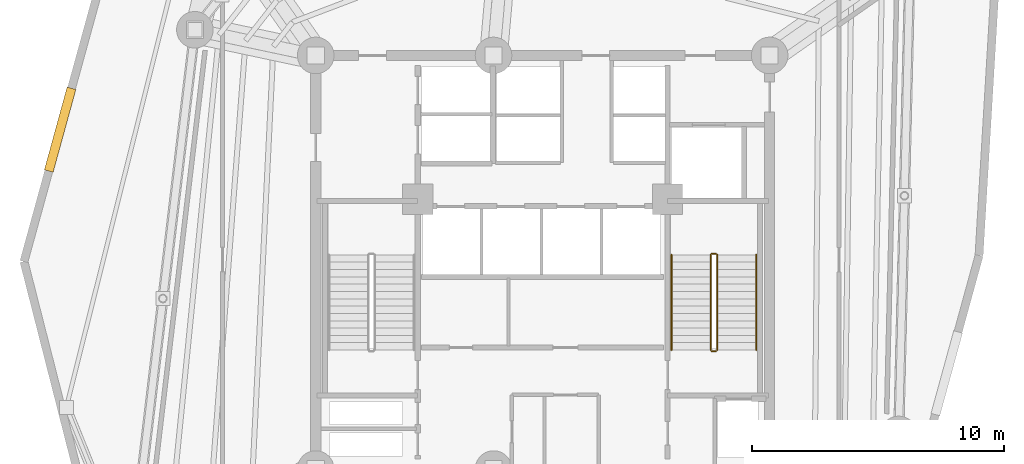
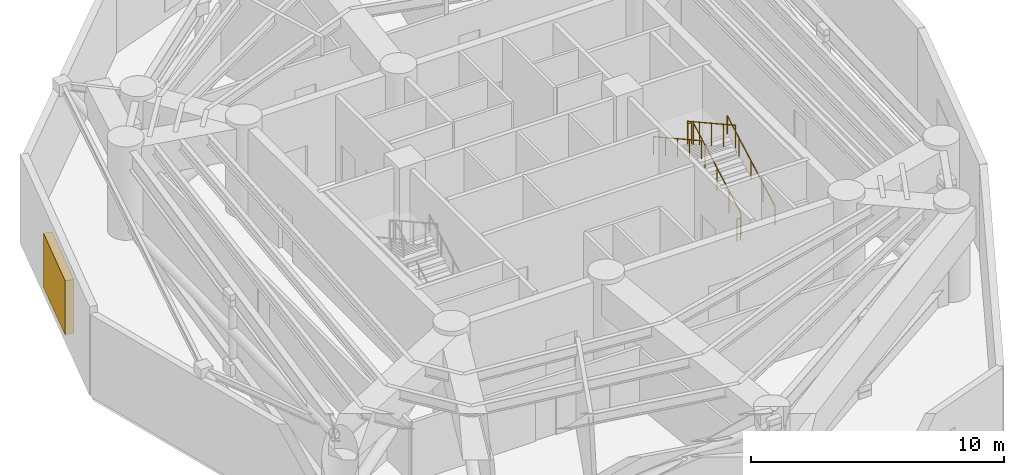
# One storey, part 10 of 11: 6 railings, 1 shading device.
"""IFC4 building model written with IfcOpenShell, lengths in metres."""

from ifc_helpers import new_model, si_unit, direction, frame, origin, origin_with_axes, origin_2d, place, context, subcontext, project, spatial, rectangle, circle, extrude, source, transform, mapped, material, layer, layer_set, type_object, element, save


model = new_model("IFC4")

# Units and contexts
model_context = context("Model", 3, precision=1e-05, world=origin(), true_north=direction((0.0, 1.0)))
body_context = subcontext(model_context, "Body", "Model", "MODEL_VIEW")
ifc_project = project(units=[si_unit("LENGTHUNIT", "METRE"), si_unit("AREAUNIT", "SQUARE_METRE"), si_unit("VOLUMEUNIT", "CUBIC_METRE"), si_unit("PLANEANGLEUNIT", "RADIAN"), si_unit("MASSUNIT", "GRAM", prefix="KILO")], contexts=[model_context])

# Site, building, storey
site_placement = place(None, origin())
site = spatial("IfcSite", under=ifc_project, at=site_placement, CompositionType="ELEMENT")
building_placement = place(site_placement, origin())
building = spatial("IfcBuilding", under=site, at=building_placement, Name="Karkom Vertical University and Central Library", CompositionType="ELEMENT")
storey_placement = place(building_placement, frame((0.0, 0.0, 148.050048828125)))
storey = spatial("IfcBuildingStorey", under=building, at=storey_placement, Name="P42", CompositionType="ELEMENT", Elevation=148.050048828125)

# Railings
ifc_material_1 = material(Name="Painted galvanised steel balustrade", Category="steel")
ifc_layer_1 = layer(ifc_material_1, 0.06005859375)
ifc_layer_set_1 = layer_set([ifc_layer_1], Name="Painted galvanised steel balustrade")
railing_type_1 = type_object("IfcRailingType", Name="INT-RL-GUARD1100", PredefinedType="GUARDRAIL", material=ifc_layer_set_1)
railing_1_placement = place(storey_placement, frame((35.419921875, 23.02001953125, 0.16064453125)))
element("IfcRailing", 1, at=railing_1_placement, inside=storey, type_object=railing_type_1, Name="Plant Level 42 ST-2 stair guard 1", PredefinedType="GUARDRAIL", context=body_context, shape_type="SweptSolid", body=[
    extrude(circle(Radius=0.02392578125, at=origin_2d()), frame((0.0, 0.0, 1.076171875), z_axis=(0.0, 0.874659101714, 0.484738543742), x_axis=(-1.0, 0.0, 0.0)), (0.0, 0.0, 1.0), 4.310302734375),
    extrude(circle(Radius=0.02099609375, at=origin_2d()), origin(), (0.0, 0.0, 1.0), 1.052001953125),
    extrude(circle(Radius=0.02099609375, at=origin_2d()), frame((0.0, 0.9423828125, 0.5224609375)), (0.0, 0.0, 1.0), 1.052001953125),
    extrude(circle(Radius=0.02099609375, at=origin_2d()), frame((0.0, 1.885009765625, 1.044677734375)), (0.0, 0.0, 1.0), 1.052001953125),
    extrude(circle(Radius=0.02099609375, at=origin_2d()), frame((0.0, 2.82763671875, 1.56689453125)), (0.0, 0.0, 1.0), 1.052001953125),
    extrude(circle(Radius=0.02099609375, at=origin_2d()), frame((0.0, 3.77001953125, 2.08935546875)), (0.0, 0.0, 1.0), 1.052001953125),
])
railing_2_placement = place(storey_placement, frame((35.3701171875, 26.840087890625, 2.25)))
element("IfcRailing", 2, at=railing_2_placement, inside=storey, type_object=railing_type_1, Name="Plant Level 42 ST-2 stair guard 2", PredefinedType="GUARDRAIL", context=body_context, shape_type="SweptSolid", body=[
    extrude(circle(Radius=0.02392578125, at=origin_2d()), frame((0.0, 0.0, 1.076171875), z_axis=(-1.0, 0.0, 0.0), x_axis=(0.0, -1.0, 0.0)), (0.0, 0.0, 1.0), 0.16015625),
    extrude(circle(Radius=0.02099609375, at=origin_2d()), origin(), (0.0, 0.0, 1.0), 1.052001953125),
    extrude(circle(Radius=0.02099609375, at=origin_2d()), frame((-0.16015625, 0.0, 0.0)), (0.0, 0.0, 1.0), 1.052001953125),
])
railing_3_placement = place(storey_placement, frame((35.159912109375, 26.7900390625, 2.41064453125)))
element("IfcRailing", 3, at=railing_3_placement, inside=storey, type_object=railing_type_1, Name="Plant Level 42 ST-2 stair guard 3", PredefinedType="GUARDRAIL", context=body_context, shape_type="SweptSolid", body=[
    extrude(circle(Radius=0.02392578125, at=origin_2d()), frame((0.0, 0.0, 1.076171875), z_axis=(0.0, -0.874659101714, 0.484738543742), x_axis=(1.0, 0.0, 0.0)), (0.0, 0.0, 1.0), 4.310302734375),
    extrude(circle(Radius=0.02099609375, at=origin_2d()), origin(), (0.0, 0.0, 1.0), 1.052001953125),
    extrude(circle(Radius=0.02099609375, at=origin_2d()), frame((0.0, -0.9423828125, 0.5224609375)), (0.0, 0.0, 1.0), 1.052001953125),
    extrude(circle(Radius=0.02099609375, at=origin_2d()), frame((0.0, -1.885009765625, 1.044677734375)), (0.0, 0.0, 1.0), 1.052001953125),
    extrude(circle(Radius=0.02099609375, at=origin_2d()), frame((0.0, -2.82763671875, 1.56689453125)), (0.0, 0.0, 1.0), 1.052001953125),
    extrude(circle(Radius=0.02099609375, at=origin_2d()), frame((0.0, -3.77001953125, 2.08935546875)), (0.0, 0.0, 1.0), 1.052001953125),
])
railing_4_placement = place(storey_placement, frame((35.3701171875, 22.969970703125, 0.0)))
element("IfcRailing", 4, at=railing_4_placement, inside=storey, type_object=railing_type_1, Name="Plant Level 42 ST-2 stair guard 4", PredefinedType="GUARDRAIL", context=body_context, shape_type="SweptSolid", body=[
    extrude(circle(Radius=0.02392578125, at=origin_2d()), frame((0.0, 0.0, 1.076171875), z_axis=(-1.0, 0.0, 0.0), x_axis=(0.0, -1.0, 0.0)), (0.0, 0.0, 1.0), 0.16015625),
    extrude(circle(Radius=0.02099609375, at=origin_2d()), origin(), (0.0, 0.0, 1.0), 1.052001953125),
    extrude(circle(Radius=0.02099609375, at=origin_2d()), frame((-0.16015625, 0.0, 0.0)), (0.0, 0.0, 1.0), 1.052001953125),
])
ifc_material_2 = material(Name="Brushed stainless-steel tubular handrail", Category="steel")
ifc_layer_2 = layer(ifc_material_2, 0.048095703125)
ifc_layer_set_2 = layer_set([ifc_layer_2], Name="Brushed stainless-steel tubular handrail")
railing_type_2 = type_object("IfcRailingType", Name="INT-RL-HAND920", PredefinedType="HANDRAIL", material=ifc_layer_set_2)
railing_5_placement = place(storey_placement, frame((36.969970703125, 23.02001953125, 0.16064453125)))
element("IfcRailing", 5, at=railing_5_placement, inside=storey, type_object=railing_type_2, Name="Plant Level 42 ST-2 stair handrail 1", PredefinedType="HANDRAIL", context=body_context, shape_type="SweptSolid", body=[
    extrude(circle(Radius=0.02392578125, at=origin_2d()), frame((0.0, 0.0, 0.8759765625), z_axis=(0.0, 0.874659101714, 0.484738543742), x_axis=(-1.0, 0.0, 0.0)), (0.0, 0.0, 1.0), 4.310302734375),
    extrude(circle(Radius=0.02099609375, at=origin_2d()), origin(), (0.0, 0.0, 1.0), 0.851806640625),
    extrude(circle(Radius=0.02099609375, at=origin_2d()), frame((0.0, 0.9423828125, 0.5224609375)), (0.0, 0.0, 1.0), 0.851806640625),
    extrude(circle(Radius=0.02099609375, at=origin_2d()), frame((0.0, 1.885009765625, 1.044677734375)), (0.0, 0.0, 1.0), 0.851806640625),
    extrude(circle(Radius=0.02099609375, at=origin_2d()), frame((0.0, 2.82763671875, 1.56689453125)), (0.0, 0.0, 1.0), 0.851806640625),
    extrude(circle(Radius=0.02099609375, at=origin_2d()), frame((0.0, 3.77001953125, 2.08935546875)), (0.0, 0.0, 1.0), 0.851806640625),
])
railing_6_placement = place(storey_placement, frame((33.610107421875, 26.7900390625, 2.41064453125)))
element("IfcRailing", 6, at=railing_6_placement, inside=storey, type_object=railing_type_2, Name="Plant Level 42 ST-2 stair handrail 2", PredefinedType="HANDRAIL", context=body_context, shape_type="SweptSolid", body=[
    extrude(circle(Radius=0.02392578125, at=origin_2d()), frame((0.0, 0.0, 0.8759765625), z_axis=(0.0, -0.874659101714, 0.484738543742), x_axis=(1.0, 0.0, 0.0)), (0.0, 0.0, 1.0), 4.310302734375),
    extrude(circle(Radius=0.02099609375, at=origin_2d()), origin(), (0.0, 0.0, 1.0), 0.851806640625),
    extrude(circle(Radius=0.02099609375, at=origin_2d()), frame((0.0, -0.9423828125, 0.5224609375)), (0.0, 0.0, 1.0), 0.851806640625),
    extrude(circle(Radius=0.02099609375, at=origin_2d()), frame((0.0, -1.885009765625, 1.044677734375)), (0.0, 0.0, 1.0), 0.851806640625),
    extrude(circle(Radius=0.02099609375, at=origin_2d()), frame((0.0, -2.82763671875, 1.56689453125)), (0.0, 0.0, 1.0), 0.851806640625),
    extrude(circle(Radius=0.02099609375, at=origin_2d()), frame((0.0, -3.77001953125, 2.08935546875)), (0.0, 0.0, 1.0), 0.851806640625),
])

# Shading device
ifc_material_3 = material(Name="Powder-coated aluminium acoustic weather louvre", Category="aluminium")
ifc_layer_3 = layer(ifc_material_3, 0.159912109375)
ifc_layer_set_3 = layer_set([ifc_layer_3], Name="Powder-coated aluminium acoustic weather louvre")
shading_device_type = type_object("IfcShadingDeviceType", Name="ENV-SHD-LOUVRE", PredefinedType="JALOUSIE", material=ifc_layer_set_3)
shared_shape = source(origin_with_axes(), body_context, "Body", "SweptSolid", [
    extrude(rectangle(XDim=3.39990234375, YDim=0.360107421875, at=origin_2d()), origin(), (0.0, 0.0, 1.0), 2.60009765625),
])
shading_device_placement = place(storey_placement, frame((9.363525390625, 31.756591796875, 0.39990234375), z_axis=(0.0, 0.0, 1.0), x_axis=(-0.264882987263, -0.964280562419, 0.0)))
element("IfcShadingDevice", 7, at=shading_device_placement, inside=storey, type_object=shading_device_type, Name="Plant Level 42 Mechanical Acoustic Louvre 01", PredefinedType="JALOUSIE", context=body_context, shape_type="MappedRepresentation", body=[
    mapped(shared_shape, transform((0.0, 0.0, 0.0), scale=1.0)),
])

save(model, "model.ifc")
